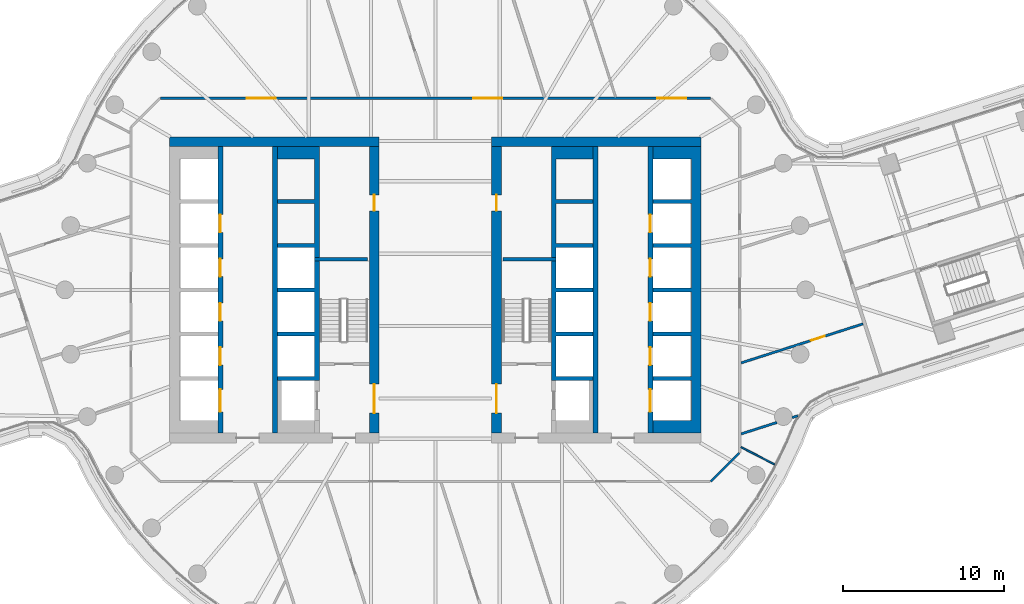
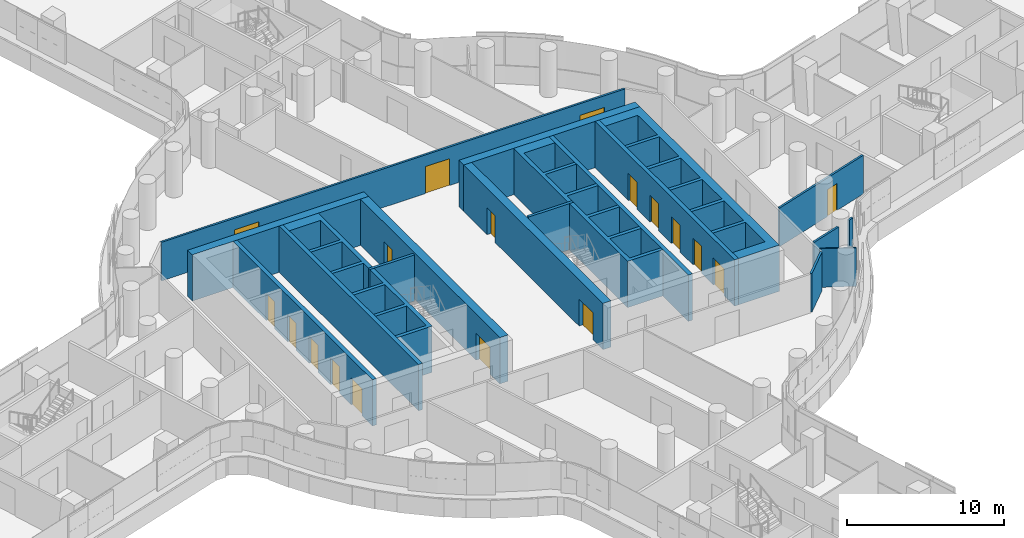
# One storey, part 20 of 30: 19 walls, 18 doors, 18 openings.
"""IFC4 building model written with IfcOpenShell, lengths in metres."""

from ifc_helpers import new_model, si_unit, direction, frame, frame_2d, origin, place, context, subcontext, project, spatial, polyline, rectangle, outline, extrude, material, layer, layer_set, type_object, element, fill, save


model = new_model("IFC4")

# Units and contexts
model_context = context("Model", 3, precision=1e-05, world=origin(), true_north=direction((0.0, 1.0)))
body_context = subcontext(model_context, "Body", "Model", "MODEL_VIEW")
ifc_project = project(units=[si_unit("LENGTHUNIT", "METRE"), si_unit("AREAUNIT", "SQUARE_METRE"), si_unit("VOLUMEUNIT", "CUBIC_METRE"), si_unit("PLANEANGLEUNIT", "RADIAN"), si_unit("MASSUNIT", "GRAM", prefix="KILO")], contexts=[model_context])

# Site, building, storey
site_placement = place(None, origin())
site = spatial("IfcSite", under=ifc_project, at=site_placement, CompositionType="ELEMENT")
building_placement = place(site_placement, origin())
building = spatial("IfcBuilding", under=site, at=building_placement, Name="Tamarind Cross Interchange Tower", CompositionType="ELEMENT")
storey_placement = place(building_placement, frame((0.0, 0.0, 98.5)))
storey = spatial("IfcBuildingStorey", under=building, at=storey_placement, Name="L23", CompositionType="ELEMENT", Elevation=98.5)

# Wall
ifc_material_1 = material(Name="Concrete C70", Category="concrete")
ifc_layer_1 = layer(ifc_material_1, 0.60009765625)
ifc_layer_set_1 = layer_set([ifc_layer_1], Name="Concrete C70")
wall_type_1 = type_object("IfcWallType", Name="Core wall 600 mm Concrete C70", PredefinedType="SHEAR", material=ifc_layer_set_1)
wall_1_placement = place(storey_placement, frame((-16.5, 9.199951171875, 0.0), z_axis=(0.0, 0.0, 1.0), x_axis=(1.0, 0.0, 0.0)))
element("IfcWall", 1, at=wall_1_placement, inside=storey, type_object=wall_type_1, Name="Core wall CWL-L23-W-NE", PredefinedType="SHEAR", context=body_context, shape_type="SweptSolid", body=[
    extrude(rectangle(XDim=13.0, YDim=0.60009765625, at=frame_2d((6.5, 0.0))), origin(), (0.0, 0.0, 1.0), 3.610107421875),
])

# Wall, openings, doors
wall_2_placement = place(storey_placement, frame((-3.800048828125, -8.89990234375, 0.0), z_axis=(0.0, 0.0, 1.0), x_axis=(0.0, 1.0, 0.0)))
wall_2 = element("IfcWall", 2, at=wall_2_placement, inside=storey, type_object=wall_type_1, Name="Core wall CWL-L23-W-IN", PredefinedType="SHEAR", context=body_context, shape_type="SweptSolid", body=[
    extrude(rectangle(XDim=17.7998046875, YDim=0.60009765625, at=frame_2d((8.89990234375, 0.0))), origin(), (0.0, 0.0, 1.0), 3.610107421875),
])
opening_1_placement = place(wall_2_placement, frame((1.25, 0.0, 0.0)))
opening_1 = element("IfcOpeningElement", 3, at=opening_1_placement, cuts=wall_2, Name="Opening DCW4", PredefinedType="OPENING", context=body_context, shape_type="SweptSolid", body=[
    extrude(rectangle(XDim=1.800048828125, YDim=2.10009765625, at=frame_2d((0.89990234375, 1.050048828125))), frame((0.0, 0.31005859375, 0.0), z_axis=(0.0, -1.0, 0.0), x_axis=(1.0, 0.0, 0.0)), (0.0, 0.0, 1.0), 0.6201171875),
])
opening_2_placement = place(wall_2_placement, frame((13.800048828125, 0.0, 0.0)))
opening_2 = element("IfcOpeningElement", 4, at=opening_2_placement, cuts=wall_2, Name="Opening DCW5", PredefinedType="OPENING", context=body_context, shape_type="SweptSolid", body=[
    extrude(rectangle(XDim=1.0, YDim=2.10009765625, at=frame_2d((0.5, 1.050048828125))), frame((0.0, 0.31005859375, 0.0), z_axis=(0.0, -1.0, 0.0), x_axis=(1.0, 0.0, 0.0)), (0.0, 0.0, 1.0), 0.6201171875),
])
ifc_material_2 = material(Name="Steel, fire-resisting", Category="steel")
door_type_1 = type_object("IfcDoorType", Name="Core fire door 1000 x 2100 FD90", OperationType="SINGLE_SWING_LEFT", PredefinedType="DOOR", material=ifc_material_2)
door_1_placement = place(opening_2_placement, origin())
door_1 = element("IfcDoor", 5, at=door_1_placement, inside=storey, type_object=door_type_1, Name="L23 riser room door", OperationType="SINGLE_SWING_LEFT", OverallHeight=2.10009765625, OverallWidth=1.0, PredefinedType="DOOR", context=body_context, shape_type="SweptSolid", body=[
    extrude(rectangle(XDim=1.0, YDim=2.10009765625, at=frame_2d((0.5, 1.050048828125))), frame((0.0, 0.02490234375, 0.0), z_axis=(0.0, -1.0, 0.0), x_axis=(1.0, 0.0, 0.0)), (0.0, 0.0, 1.0), 0.050048828125),
])
fill(opening_2, door_1)
door_type_2 = type_object("IfcDoorType", Name="Core fire door 1800 x 2100 FD90", OperationType="SINGLE_SWING_LEFT", PredefinedType="DOOR", material=ifc_material_2)
door_2_placement = place(opening_1_placement, origin())
door_2 = element("IfcDoor", 6, at=door_2_placement, inside=storey, type_object=door_type_2, Name="L23 firefighting lobby door", OperationType="SINGLE_SWING_LEFT", OverallHeight=2.10009765625, OverallWidth=1.800048828125, PredefinedType="DOOR", context=body_context, shape_type="SweptSolid", body=[
    extrude(rectangle(XDim=1.800048828125, YDim=2.10009765625, at=frame_2d((0.89990234375, 1.050048828125))), frame((0.0, 0.02490234375, 0.0), z_axis=(0.0, -1.0, 0.0), x_axis=(1.0, 0.0, 0.0)), (0.0, 0.0, 1.0), 0.050048828125),
])
fill(opening_1, door_2)

# Walls
wall_3_placement = place(storey_placement, origin())
element("IfcWall", 7, at=wall_3_placement, inside=storey, type_object=wall_type_1, Name="Core wall CWL-L23-E-A", PredefinedType="SHEAR", context=body_context, shape_type="SweptSolid", body=[
    extrude(outline(polyline([(13.5, -8.89990234375), (15.89990234375, -8.89990234375), (16.5, -8.89990234375), (16.5, 8.89990234375), (15.89990234375, 8.89990234375), (13.5, 8.89990234375), (13.5, 8.125), (15.89990234375, 8.125), (15.89990234375, 5.625), (13.5, 5.625), (13.5, 5.375), (15.89990234375, 5.375), (15.89990234375, 2.875), (13.5, 2.875), (13.5, 2.625), (15.89990234375, 2.625), (15.89990234375, 0.125), (13.5, 0.125), (13.5, -0.125), (15.89990234375, -0.125), (15.89990234375, -2.625), (13.5, -2.625), (13.5, -2.875), (15.89990234375, -2.875), (15.89990234375, -5.375), (13.5, -5.375), (13.5, -5.625), (15.89990234375, -5.625), (15.89990234375, -8.125), (13.5, -8.125), (13.5, -8.89990234375)])), origin(), (0.0, 0.0, 1.0), 3.610107421875),
])
wall_4_placement = place(storey_placement, frame((16.5, 9.199951171875, 0.0), z_axis=(0.0, 0.0, 1.0), x_axis=(-1.0, 0.0, 0.0)))
element("IfcWall", 8, at=wall_4_placement, inside=storey, type_object=wall_type_1, Name="Core wall CWL-L23-E-NE", PredefinedType="SHEAR", context=body_context, shape_type="SweptSolid", body=[
    extrude(rectangle(XDim=13.0, YDim=0.60009765625, at=frame_2d((6.5, 0.0))), origin(), (0.0, 0.0, 1.0), 3.610107421875),
])

# Wall, openings, doors
wall_5_placement = place(storey_placement, frame((3.800048828125, -8.89990234375, 0.0), z_axis=(0.0, 0.0, 1.0), x_axis=(0.0, 1.0, 0.0)))
wall_5 = element("IfcWall", 9, at=wall_5_placement, inside=storey, type_object=wall_type_1, Name="Core wall CWL-L23-E-IN", PredefinedType="SHEAR", context=body_context, shape_type="SweptSolid", body=[
    extrude(rectangle(XDim=17.7998046875, YDim=0.60009765625, at=frame_2d((8.89990234375, 0.0))), origin(), (0.0, 0.0, 1.0), 3.610107421875),
])
opening_3_placement = place(wall_5_placement, frame((1.25, 0.0, 0.0)))
opening_3 = element("IfcOpeningElement", 10, at=opening_3_placement, cuts=wall_5, Name="Opening DCE4", PredefinedType="OPENING", context=body_context, shape_type="SweptSolid", body=[
    extrude(rectangle(XDim=1.800048828125, YDim=2.10009765625, at=frame_2d((0.89990234375, 1.050048828125))), frame((0.0, 0.31005859375, 0.0), z_axis=(0.0, -1.0, 0.0), x_axis=(1.0, 0.0, 0.0)), (0.0, 0.0, 1.0), 0.6201171875),
])
opening_4_placement = place(wall_5_placement, frame((13.800048828125, 0.0, 0.0)))
opening_4 = element("IfcOpeningElement", 11, at=opening_4_placement, cuts=wall_5, Name="Opening DCE5", PredefinedType="OPENING", context=body_context, shape_type="SweptSolid", body=[
    extrude(rectangle(XDim=1.0, YDim=2.10009765625, at=frame_2d((0.5, 1.050048828125))), frame((0.0, 0.31005859375, 0.0), z_axis=(0.0, -1.0, 0.0), x_axis=(1.0, 0.0, 0.0)), (0.0, 0.0, 1.0), 0.6201171875),
])
door_3_placement = place(opening_4_placement, origin())
door_3 = element("IfcDoor", 12, at=door_3_placement, inside=storey, type_object=door_type_1, Name="L23 riser room door", OperationType="SINGLE_SWING_LEFT", OverallHeight=2.10009765625, OverallWidth=1.0, PredefinedType="DOOR", context=body_context, shape_type="SweptSolid", body=[
    extrude(rectangle(XDim=1.0, YDim=2.10009765625, at=frame_2d((0.5, 1.050048828125))), frame((0.0, 0.02490234375, 0.0), z_axis=(0.0, -1.0, 0.0), x_axis=(1.0, 0.0, 0.0)), (0.0, 0.0, 1.0), 0.050048828125),
])
fill(opening_4, door_3)
door_4_placement = place(opening_3_placement, origin())
door_4 = element("IfcDoor", 13, at=door_4_placement, inside=storey, type_object=door_type_2, Name="L23 firefighting lobby door", OperationType="SINGLE_SWING_LEFT", OverallHeight=2.10009765625, OverallWidth=1.800048828125, PredefinedType="DOOR", context=body_context, shape_type="SweptSolid", body=[
    extrude(rectangle(XDim=1.800048828125, YDim=2.10009765625, at=frame_2d((0.89990234375, 1.050048828125))), frame((0.0, 0.02490234375, 0.0), z_axis=(0.0, -1.0, 0.0), x_axis=(1.0, 0.0, 0.0)), (0.0, 0.0, 1.0), 0.050048828125),
])
fill(opening_3, door_4)

# Walls
ifc_layer_2 = layer(ifc_material_1, 0.199951171875)
ifc_layer_set_2 = layer_set([ifc_layer_2], Name="Concrete C70")
wall_type_2 = type_object("IfcWallType", Name="Core web wall 200 mm Concrete C70", PredefinedType="SHEAR", material=ifc_layer_set_2)
for number, where, z_axis, x_axis, name in (
    (14, (-7.5, 1.89990234375, 0.0), (0.0, 0.0, 1.0), (1.0, 0.0, 0.0), "Core wall CWL-L23-W-BD"),
    (15, (7.5, 1.89990234375, 0.0), (0.0, 0.0, 1.0), (-1.0, 0.0, 0.0), "Core wall CWL-L23-E-BD"),
):
    element("IfcWall", number, at=place(storey_placement, frame(where, z_axis=z_axis, x_axis=x_axis)), inside=storey, type_object=wall_type_2, Name=name, PredefinedType="SHEAR", context=body_context, shape_type="SweptSolid", body=[
        extrude(rectangle(XDim=3.300048828125, YDim=0.199951171875, at=frame_2d((1.64990234375, 0.0))), origin(), (0.0, 0.0, 1.0), 3.610107421875),
    ])
ifc_layer_3 = layer(ifc_material_1, 0.300048828125)
ifc_layer_set_3 = layer_set([ifc_layer_3], Name="Concrete C70")
wall_type_3 = type_object("IfcWallType", Name="Core web wall 300 mm Concrete C70", PredefinedType="SHEAR", material=ifc_layer_set_3)
wall_6_placement = place(storey_placement, origin())
element("IfcWall", 16, at=wall_6_placement, inside=storey, type_object=wall_type_3, Name="Core wall CWL-L23-W-BN", PredefinedType="SHEAR", context=body_context, shape_type="SweptSolid", body=[
    extrude(outline(polyline([(-9.800048828125, -5.375), (-9.800048828125, -5.625), (-7.5, -5.625), (-7.199951171875, -5.625), (-7.199951171875, 8.89990234375), (-7.5, 8.89990234375), (-9.800048828125, 8.89990234375), (-9.800048828125, 8.125), (-7.5, 8.125), (-7.5, 5.625), (-9.800048828125, 5.625), (-9.800048828125, 5.375), (-7.5, 5.375), (-7.5, 2.875), (-9.800048828125, 2.875), (-9.800048828125, 2.625), (-7.5, 2.625), (-7.5, 0.125), (-9.800048828125, 0.125), (-9.800048828125, -0.125), (-7.5, -0.125), (-7.5, -2.625), (-9.800048828125, -2.625), (-9.800048828125, -2.875), (-7.5, -2.875), (-7.5, -5.375), (-9.800048828125, -5.375)])), origin(), (0.0, 0.0, 1.0), 3.610107421875),
])

# Wall, openings, doors
wall_7_placement = place(storey_placement, frame((-13.35009765625, -8.89990234375, 0.0), z_axis=(0.0, 0.0, 1.0), x_axis=(0.0, 1.0, 0.0)))
wall_7 = element("IfcWall", 17, at=wall_7_placement, inside=storey, type_object=wall_type_3, Name="Core wall CWL-L23-W-LA", PredefinedType="SHEAR", context=body_context, shape_type="SweptSolid", body=[
    extrude(rectangle(XDim=17.7998046875, YDim=0.300048828125, at=frame_2d((8.89990234375, 0.0))), origin(), (0.0, 0.0, 1.0), 3.610107421875),
])
opening_5_placement = place(wall_7_placement, frame((1.324951171875, 0.0, 0.0)))
opening_5 = element("IfcOpeningElement", 18, at=opening_5_placement, cuts=wall_7, Name="Opening LD1L23", PredefinedType="OPENING", context=body_context, shape_type="SweptSolid", body=[
    extrude(rectangle(XDim=1.39990234375, YDim=2.10009765625, at=frame_2d((0.699951171875, 1.050048828125))), frame((0.0, 0.159912109375, 0.0), z_axis=(0.0, -1.0, 0.0), x_axis=(1.0, 0.0, 0.0)), (0.0, 0.0, 1.0), 0.320068359375),
])
opening_6_placement = place(wall_7_placement, frame((4.22509765625, 0.0, 0.0)))
opening_6 = element("IfcOpeningElement", 19, at=opening_6_placement, cuts=wall_7, Name="Opening LD2L23", PredefinedType="OPENING", context=body_context, shape_type="SweptSolid", body=[
    extrude(rectangle(XDim=1.10009765625, YDim=2.10009765625, at=frame_2d((0.550048828125, 1.050048828125))), frame((0.0, 0.159912109375, 0.0), z_axis=(0.0, -1.0, 0.0), x_axis=(1.0, 0.0, 0.0)), (0.0, 0.0, 1.0), 0.320068359375),
])
opening_7_placement = place(wall_7_placement, frame((6.97509765625, 0.0, 0.0)))
opening_7 = element("IfcOpeningElement", 20, at=opening_7_placement, cuts=wall_7, Name="Opening LD3L23", PredefinedType="OPENING", context=body_context, shape_type="SweptSolid", body=[
    extrude(rectangle(XDim=1.10009765625, YDim=2.10009765625, at=frame_2d((0.550048828125, 1.050048828125))), frame((0.0, 0.159912109375, 0.0), z_axis=(0.0, -1.0, 0.0), x_axis=(1.0, 0.0, 0.0)), (0.0, 0.0, 1.0), 0.320068359375),
])
opening_8_placement = place(wall_7_placement, frame((9.72509765625, 0.0, 0.0)))
opening_8 = element("IfcOpeningElement", 21, at=opening_8_placement, cuts=wall_7, Name="Opening LD4L23", PredefinedType="OPENING", context=body_context, shape_type="SweptSolid", body=[
    extrude(rectangle(XDim=1.10009765625, YDim=2.10009765625, at=frame_2d((0.550048828125, 1.050048828125))), frame((0.0, 0.159912109375, 0.0), z_axis=(0.0, -1.0, 0.0), x_axis=(1.0, 0.0, 0.0)), (0.0, 0.0, 1.0), 0.320068359375),
])
opening_9_placement = place(wall_7_placement, frame((12.47509765625, 0.0, 0.0)))
opening_9 = element("IfcOpeningElement", 22, at=opening_9_placement, cuts=wall_7, Name="Opening LD5L23", PredefinedType="OPENING", context=body_context, shape_type="SweptSolid", body=[
    extrude(rectangle(XDim=1.10009765625, YDim=2.10009765625, at=frame_2d((0.550048828125, 1.050048828125))), frame((0.0, 0.159912109375, 0.0), z_axis=(0.0, -1.0, 0.0), x_axis=(1.0, 0.0, 0.0)), (0.0, 0.0, 1.0), 0.320068359375),
])
ifc_material_3 = material(Name="Stainless steel panel", Category="steel")
door_type_3 = type_object("IfcDoorType", Name="Lift landing door 1100 x 2100 E 120", OperationType="SLIDING_TO_LEFT", PredefinedType="DOOR", material=ifc_material_3)
door_5_placement = place(opening_6_placement, origin())
door_5 = element("IfcDoor", 23, at=door_5_placement, inside=storey, type_object=door_type_3, Name="L23 landing door LF2", OperationType="SLIDING_TO_LEFT", OverallHeight=2.10009765625, OverallWidth=1.10009765625, PredefinedType="DOOR", context=body_context, shape_type="SweptSolid", body=[
    extrude(rectangle(XDim=1.10009765625, YDim=2.10009765625, at=frame_2d((0.550048828125, 1.050048828125))), frame((0.0, 0.02490234375, 0.0), z_axis=(0.0, -1.0, 0.0), x_axis=(1.0, 0.0, 0.0)), (0.0, 0.0, 1.0), 0.050048828125),
])
fill(opening_6, door_5)
door_6_placement = place(opening_7_placement, origin())
door_6 = element("IfcDoor", 24, at=door_6_placement, inside=storey, type_object=door_type_3, Name="L23 landing door LF3", OperationType="SLIDING_TO_LEFT", OverallHeight=2.10009765625, OverallWidth=1.10009765625, PredefinedType="DOOR", context=body_context, shape_type="SweptSolid", body=[
    extrude(rectangle(XDim=1.10009765625, YDim=2.10009765625, at=frame_2d((0.550048828125, 1.050048828125))), frame((0.0, 0.02490234375, 0.0), z_axis=(0.0, -1.0, 0.0), x_axis=(1.0, 0.0, 0.0)), (0.0, 0.0, 1.0), 0.050048828125),
])
fill(opening_7, door_6)
door_7_placement = place(opening_8_placement, origin())
door_7 = element("IfcDoor", 25, at=door_7_placement, inside=storey, type_object=door_type_3, Name="L23 landing door LF4", OperationType="SLIDING_TO_LEFT", OverallHeight=2.10009765625, OverallWidth=1.10009765625, PredefinedType="DOOR", context=body_context, shape_type="SweptSolid", body=[
    extrude(rectangle(XDim=1.10009765625, YDim=2.10009765625, at=frame_2d((0.550048828125, 1.050048828125))), frame((0.0, 0.02490234375, 0.0), z_axis=(0.0, -1.0, 0.0), x_axis=(1.0, 0.0, 0.0)), (0.0, 0.0, 1.0), 0.050048828125),
])
fill(opening_8, door_7)
door_8_placement = place(opening_9_placement, origin())
door_8 = element("IfcDoor", 26, at=door_8_placement, inside=storey, type_object=door_type_3, Name="L23 landing door LF5", OperationType="SLIDING_TO_LEFT", OverallHeight=2.10009765625, OverallWidth=1.10009765625, PredefinedType="DOOR", context=body_context, shape_type="SweptSolid", body=[
    extrude(rectangle(XDim=1.10009765625, YDim=2.10009765625, at=frame_2d((0.550048828125, 1.050048828125))), frame((0.0, 0.02490234375, 0.0), z_axis=(0.0, -1.0, 0.0), x_axis=(1.0, 0.0, 0.0)), (0.0, 0.0, 1.0), 0.050048828125),
])
fill(opening_9, door_8)
door_type_4 = type_object("IfcDoorType", Name="Lift landing door 1400 x 2100 E 120", OperationType="SLIDING_TO_LEFT", PredefinedType="DOOR", material=ifc_material_3)
door_9_placement = place(opening_5_placement, origin())
door_9 = element("IfcDoor", 27, at=door_9_placement, inside=storey, type_object=door_type_4, Name="L23 landing door LF1", OperationType="SLIDING_TO_LEFT", OverallHeight=2.10009765625, OverallWidth=1.39990234375, PredefinedType="DOOR", context=body_context, shape_type="SweptSolid", body=[
    extrude(rectangle(XDim=1.39990234375, YDim=2.10009765625, at=frame_2d((0.699951171875, 1.050048828125))), frame((0.0, 0.02490234375, 0.0), z_axis=(0.0, -1.0, 0.0), x_axis=(1.0, 0.0, 0.0)), (0.0, 0.0, 1.0), 0.050048828125),
])
fill(opening_5, door_9)

# Walls
wall_8_placement = place(storey_placement, frame((-9.949951171875, -8.89990234375, 0.0), z_axis=(0.0, 0.0, 1.0), x_axis=(0.0, 1.0, 0.0)))
element("IfcWall", 28, at=wall_8_placement, inside=storey, type_object=wall_type_3, Name="Core wall CWL-L23-W-LB", PredefinedType="SHEAR", context=body_context, shape_type="SweptSolid", body=[
    extrude(rectangle(XDim=17.7998046875, YDim=0.300048828125, at=frame_2d((8.89990234375, 0.0))), origin(), (0.0, 0.0, 1.0), 3.610107421875),
])
wall_9_placement = place(storey_placement, origin())
element("IfcWall", 29, at=wall_9_placement, inside=storey, type_object=wall_type_3, Name="Core wall CWL-L23-E-BN", PredefinedType="SHEAR", context=body_context, shape_type="SweptSolid", body=[
    extrude(outline(polyline([(9.800048828125, -5.375), (7.5, -5.375), (7.5, -2.875), (9.800048828125, -2.875), (9.800048828125, -2.625), (7.5, -2.625), (7.5, -0.125), (9.800048828125, -0.125), (9.800048828125, 0.125), (7.5, 0.125), (7.5, 2.625), (9.800048828125, 2.625), (9.800048828125, 2.875), (7.5, 2.875), (7.5, 5.375), (9.800048828125, 5.375), (9.800048828125, 5.625), (7.5, 5.625), (7.5, 8.125), (9.800048828125, 8.125), (9.800048828125, 8.89990234375), (7.5, 8.89990234375), (7.199951171875, 8.89990234375), (7.199951171875, -5.625), (7.5, -5.625), (9.800048828125, -5.625), (9.800048828125, -5.375)])), origin(), (0.0, 0.0, 1.0), 3.610107421875),
])

# Wall, openings, doors
wall_10_placement = place(storey_placement, frame((13.35009765625, -8.89990234375, 0.0), z_axis=(0.0, 0.0, 1.0), x_axis=(0.0, 1.0, 0.0)))
wall_10 = element("IfcWall", 30, at=wall_10_placement, inside=storey, type_object=wall_type_3, Name="Core wall CWL-L23-E-LA", PredefinedType="SHEAR", context=body_context, shape_type="SweptSolid", body=[
    extrude(rectangle(XDim=17.7998046875, YDim=0.300048828125, at=frame_2d((8.89990234375, 0.0))), origin(), (0.0, 0.0, 1.0), 3.610107421875),
])
opening_10_placement = place(wall_10_placement, frame((1.324951171875, 0.0, 0.0)))
opening_10 = element("IfcOpeningElement", 31, at=opening_10_placement, cuts=wall_10, Name="Opening LD13L23", PredefinedType="OPENING", context=body_context, shape_type="SweptSolid", body=[
    extrude(rectangle(XDim=1.39990234375, YDim=2.10009765625, at=frame_2d((0.699951171875, 1.050048828125))), frame((0.0, 0.159912109375, 0.0), z_axis=(0.0, -1.0, 0.0), x_axis=(1.0, 0.0, 0.0)), (0.0, 0.0, 1.0), 0.320068359375),
])
opening_11_placement = place(wall_10_placement, frame((4.22509765625, 0.0, 0.0)))
opening_11 = element("IfcOpeningElement", 32, at=opening_11_placement, cuts=wall_10, Name="Opening LD14L23", PredefinedType="OPENING", context=body_context, shape_type="SweptSolid", body=[
    extrude(rectangle(XDim=1.10009765625, YDim=2.10009765625, at=frame_2d((0.550048828125, 1.050048828125))), frame((0.0, 0.159912109375, 0.0), z_axis=(0.0, -1.0, 0.0), x_axis=(1.0, 0.0, 0.0)), (0.0, 0.0, 1.0), 0.320068359375),
])
opening_12_placement = place(wall_10_placement, frame((6.97509765625, 0.0, 0.0)))
opening_12 = element("IfcOpeningElement", 33, at=opening_12_placement, cuts=wall_10, Name="Opening LD15L23", PredefinedType="OPENING", context=body_context, shape_type="SweptSolid", body=[
    extrude(rectangle(XDim=1.10009765625, YDim=2.10009765625, at=frame_2d((0.550048828125, 1.050048828125))), frame((0.0, 0.159912109375, 0.0), z_axis=(0.0, -1.0, 0.0), x_axis=(1.0, 0.0, 0.0)), (0.0, 0.0, 1.0), 0.320068359375),
])
opening_13_placement = place(wall_10_placement, frame((9.72509765625, 0.0, 0.0)))
opening_13 = element("IfcOpeningElement", 34, at=opening_13_placement, cuts=wall_10, Name="Opening LD16L23", PredefinedType="OPENING", context=body_context, shape_type="SweptSolid", body=[
    extrude(rectangle(XDim=1.10009765625, YDim=2.10009765625, at=frame_2d((0.550048828125, 1.050048828125))), frame((0.0, 0.159912109375, 0.0), z_axis=(0.0, -1.0, 0.0), x_axis=(1.0, 0.0, 0.0)), (0.0, 0.0, 1.0), 0.320068359375),
])
opening_14_placement = place(wall_10_placement, frame((12.47509765625, 0.0, 0.0)))
opening_14 = element("IfcOpeningElement", 35, at=opening_14_placement, cuts=wall_10, Name="Opening LD17L23", PredefinedType="OPENING", context=body_context, shape_type="SweptSolid", body=[
    extrude(rectangle(XDim=1.10009765625, YDim=2.10009765625, at=frame_2d((0.550048828125, 1.050048828125))), frame((0.0, 0.159912109375, 0.0), z_axis=(0.0, -1.0, 0.0), x_axis=(1.0, 0.0, 0.0)), (0.0, 0.0, 1.0), 0.320068359375),
])
door_10_placement = place(opening_11_placement, origin())
door_10 = element("IfcDoor", 36, at=door_10_placement, inside=storey, type_object=door_type_3, Name="L23 landing door LF14", OperationType="SLIDING_TO_LEFT", OverallHeight=2.10009765625, OverallWidth=1.10009765625, PredefinedType="DOOR", context=body_context, shape_type="SweptSolid", body=[
    extrude(rectangle(XDim=1.10009765625, YDim=2.10009765625, at=frame_2d((0.550048828125, 1.050048828125))), frame((0.0, 0.02490234375, 0.0), z_axis=(0.0, -1.0, 0.0), x_axis=(1.0, 0.0, 0.0)), (0.0, 0.0, 1.0), 0.050048828125),
])
fill(opening_11, door_10)
door_11_placement = place(opening_12_placement, origin())
door_11 = element("IfcDoor", 37, at=door_11_placement, inside=storey, type_object=door_type_3, Name="L23 landing door LF15", OperationType="SLIDING_TO_LEFT", OverallHeight=2.10009765625, OverallWidth=1.10009765625, PredefinedType="DOOR", context=body_context, shape_type="SweptSolid", body=[
    extrude(rectangle(XDim=1.10009765625, YDim=2.10009765625, at=frame_2d((0.550048828125, 1.050048828125))), frame((0.0, 0.02490234375, 0.0), z_axis=(0.0, -1.0, 0.0), x_axis=(1.0, 0.0, 0.0)), (0.0, 0.0, 1.0), 0.050048828125),
])
fill(opening_12, door_11)
door_12_placement = place(opening_13_placement, origin())
door_12 = element("IfcDoor", 38, at=door_12_placement, inside=storey, type_object=door_type_3, Name="L23 landing door LF16", OperationType="SLIDING_TO_LEFT", OverallHeight=2.10009765625, OverallWidth=1.10009765625, PredefinedType="DOOR", context=body_context, shape_type="SweptSolid", body=[
    extrude(rectangle(XDim=1.10009765625, YDim=2.10009765625, at=frame_2d((0.550048828125, 1.050048828125))), frame((0.0, 0.02490234375, 0.0), z_axis=(0.0, -1.0, 0.0), x_axis=(1.0, 0.0, 0.0)), (0.0, 0.0, 1.0), 0.050048828125),
])
fill(opening_13, door_12)
door_13_placement = place(opening_14_placement, origin())
door_13 = element("IfcDoor", 39, at=door_13_placement, inside=storey, type_object=door_type_3, Name="L23 landing door LF17", OperationType="SLIDING_TO_LEFT", OverallHeight=2.10009765625, OverallWidth=1.10009765625, PredefinedType="DOOR", context=body_context, shape_type="SweptSolid", body=[
    extrude(rectangle(XDim=1.10009765625, YDim=2.10009765625, at=frame_2d((0.550048828125, 1.050048828125))), frame((0.0, 0.02490234375, 0.0), z_axis=(0.0, -1.0, 0.0), x_axis=(1.0, 0.0, 0.0)), (0.0, 0.0, 1.0), 0.050048828125),
])
fill(opening_14, door_13)
door_14_placement = place(opening_10_placement, origin())
door_14 = element("IfcDoor", 40, at=door_14_placement, inside=storey, type_object=door_type_4, Name="L23 landing door LF13", OperationType="SLIDING_TO_LEFT", OverallHeight=2.10009765625, OverallWidth=1.39990234375, PredefinedType="DOOR", context=body_context, shape_type="SweptSolid", body=[
    extrude(rectangle(XDim=1.39990234375, YDim=2.10009765625, at=frame_2d((0.699951171875, 1.050048828125))), frame((0.0, 0.02490234375, 0.0), z_axis=(0.0, -1.0, 0.0), x_axis=(1.0, 0.0, 0.0)), (0.0, 0.0, 1.0), 0.050048828125),
])
fill(opening_10, door_14)

# Walls
wall_11_placement = place(storey_placement, frame((9.949951171875, -8.89990234375, 0.0), z_axis=(0.0, 0.0, 1.0), x_axis=(0.0, 1.0, 0.0)))
element("IfcWall", 41, at=wall_11_placement, inside=storey, type_object=wall_type_3, Name="Core wall CWL-L23-E-LB", PredefinedType="SHEAR", context=body_context, shape_type="SweptSolid", body=[
    extrude(rectangle(XDim=17.7998046875, YDim=0.300048828125, at=frame_2d((8.89990234375, 0.0))), origin(), (0.0, 0.0, 1.0), 3.610107421875),
])
ifc_material_4 = material(Name="Gypsum board partition on steel studs", Category="steel")
ifc_layer_4 = layer(ifc_material_4, 0.10009765625)
ifc_layer_set_4 = layer_set([ifc_layer_4], Name="Gypsum board partition on steel studs")
wall_type_4 = type_object("IfcWallType", Name="Partition 100 mm EI 90", PredefinedType="PARTITIONING", material=ifc_layer_set_4)
wall_12_placement = place(storey_placement, frame((18.97802734375, -9.76318359375, 0.0), z_axis=(0.0, 0.0, 1.0), x_axis=(0.889170151295, -0.457576706188, 0.0)))
element("IfcWall", 42, at=wall_12_placement, inside=storey, type_object=wall_type_4, Name="Partition L23-040", PredefinedType="PARTITIONING", context=body_context, shape_type="SweptSolid", body=[
    extrude(rectangle(XDim=2.339599609375, YDim=0.10009765625, at=frame_2d((1.169921875, 0.0))), origin(), (0.0, 0.0, 1.0), 3.010009765625),
])

# Wall, openings, doors
ifc_layer_5 = layer(ifc_material_4, 0.14990234375)
ifc_layer_set_5 = layer_set([ifc_layer_5], Name="Gypsum board partition on steel studs")
wall_type_5 = type_object("IfcWallType", Name="Partition 150 mm EI 120", PredefinedType="PARTITIONING", material=ifc_layer_set_5)
wall_13_placement = place(storey_placement, frame((-17.06494140625, 11.89990234375, 0.0), z_axis=(0.0, 0.0, 1.0), x_axis=(1.0, 0.0, 0.0)))
wall_13 = element("IfcWall", 43, at=wall_13_placement, inside=storey, type_object=wall_type_5, Name="Partition L23-042", PredefinedType="PARTITIONING", context=body_context, shape_type="SweptSolid", body=[
    extrude(rectangle(XDim=34.1650390625, YDim=0.14990234375, at=frame_2d((17.08251953125, 0.0))), origin(), (0.0, 0.0, 1.0), 3.010009765625),
])
opening_15_placement = place(wall_13_placement, frame((19.429931640625, 0.0, 0.0)))
opening_15 = element("IfcOpeningElement", 44, at=opening_15_placement, cuts=wall_13, Name="Opening D22", PredefinedType="OPENING", context=body_context, shape_type="SweptSolid", body=[
    extrude(rectangle(XDim=1.800048828125, YDim=2.10009765625, at=frame_2d((0.89990234375, 1.050048828125))), frame((0.0, 0.0849609375, 0.0), z_axis=(0.0, -1.0, 0.0), x_axis=(1.0, 0.0, 0.0)), (0.0, 0.0, 1.0), 0.169921875),
])
opening_16_placement = place(wall_13_placement, frame((30.8310546875, 0.0, 0.0)))
opening_16 = element("IfcOpeningElement", 45, at=opening_16_placement, cuts=wall_13, Name="Opening D23", PredefinedType="OPENING", context=body_context, shape_type="SweptSolid", body=[
    extrude(rectangle(XDim=1.800048828125, YDim=2.10009765625, at=frame_2d((0.89990234375, 1.050048828125))), frame((0.0, 0.0849609375, 0.0), z_axis=(0.0, -1.0, 0.0), x_axis=(1.0, 0.0, 0.0)), (0.0, 0.0, 1.0), 0.169921875),
])
opening_17_placement = place(wall_13_placement, frame((5.364990234375, 0.0, 0.0)))
opening_17 = element("IfcOpeningElement", 46, at=opening_17_placement, cuts=wall_13, Name="Opening D24", PredefinedType="OPENING", context=body_context, shape_type="SweptSolid", body=[
    extrude(rectangle(XDim=1.800048828125, YDim=2.10009765625, at=frame_2d((0.89990234375, 1.050048828125))), frame((0.0, 0.0849609375, 0.0), z_axis=(0.0, -1.0, 0.0), x_axis=(1.0, 0.0, 0.0)), (0.0, 0.0, 1.0), 0.169921875),
])
ifc_material_5 = material(Name="Fire-resisting door set")
door_type_5 = type_object("IfcDoorType", Name="Interior door 1800 x 2100 FD60S", OperationType="DOUBLE_DOOR_SINGLE_SWING", PredefinedType="DOOR", material=ifc_material_5)
door_15_placement = place(opening_15_placement, frame((1.800048828125, 0.0, 0.0), z_axis=(0.0, 0.0, 1.0), x_axis=(-1.0, 0.0, 0.0)))
door_15 = element("IfcDoor", 47, at=door_15_placement, inside=storey, type_object=door_type_5, Name="Door D22", OperationType="DOUBLE_DOOR_SINGLE_SWING", OverallHeight=2.10009765625, OverallWidth=1.800048828125, PredefinedType="DOOR", context=body_context, shape_type="SweptSolid", body=[
    extrude(rectangle(XDim=1.800048828125, YDim=2.10009765625, at=frame_2d((0.89990234375, 1.050048828125))), frame((0.0, 0.02490234375, 0.0), z_axis=(0.0, -1.0, 0.0), x_axis=(1.0, 0.0, 0.0)), (0.0, 0.0, 1.0), 0.050048828125),
])
fill(opening_15, door_15)
door_16_placement = place(opening_16_placement, origin())
door_16 = element("IfcDoor", 48, at=door_16_placement, inside=storey, type_object=door_type_5, Name="Door D23", OperationType="DOUBLE_DOOR_SINGLE_SWING", OverallHeight=2.10009765625, OverallWidth=1.800048828125, PredefinedType="DOOR", context=body_context, shape_type="SweptSolid", body=[
    extrude(rectangle(XDim=1.800048828125, YDim=2.10009765625, at=frame_2d((0.89990234375, 1.050048828125))), frame((0.0, 0.02490234375, 0.0), z_axis=(0.0, -1.0, 0.0), x_axis=(1.0, 0.0, 0.0)), (0.0, 0.0, 1.0), 0.050048828125),
])
fill(opening_16, door_16)
door_17_placement = place(opening_17_placement, origin())
door_17 = element("IfcDoor", 49, at=door_17_placement, inside=storey, type_object=door_type_5, Name="Door D24", OperationType="DOUBLE_DOOR_SINGLE_SWING", OverallHeight=2.10009765625, OverallWidth=1.800048828125, PredefinedType="DOOR", context=body_context, shape_type="SweptSolid", body=[
    extrude(rectangle(XDim=1.800048828125, YDim=2.10009765625, at=frame_2d((0.89990234375, 1.050048828125))), frame((0.0, 0.02490234375, 0.0), z_axis=(0.0, -1.0, 0.0), x_axis=(1.0, 0.0, 0.0)), (0.0, 0.0, 1.0), 0.050048828125),
])
fill(opening_17, door_17)

# Wall, opening, door
wall_14_placement = place(storey_placement, frame((18.98095703125, -4.537109375, 0.0), z_axis=(0.0, 0.0, 1.0), x_axis=(0.952353244945, 0.304997207926, 0.0)))
wall_14 = element("IfcWall", 50, at=wall_14_placement, inside=storey, type_object=wall_type_5, Name="Partition L23-068", PredefinedType="PARTITIONING", context=body_context, shape_type="SweptSolid", body=[
    extrude(rectangle(XDim=7.958984375, YDim=0.14990234375, at=frame_2d((3.9794921875, 0.0))), origin(), (0.0, 0.0, 1.0), 3.010009765625),
])
opening_18_placement = place(wall_14_placement, frame((4.56494140625, 0.0, 0.0)))
opening_18 = element("IfcOpeningElement", 51, at=opening_18_placement, cuts=wall_14, Name="Opening D34", PredefinedType="OPENING", context=body_context, shape_type="SweptSolid", body=[
    extrude(rectangle(XDim=0.89990234375, YDim=2.10009765625, at=frame_2d((0.449951171875, 1.050048828125))), frame((0.0, 0.0849609375, 0.0), z_axis=(0.0, -1.0, 0.0), x_axis=(1.0, 0.0, 0.0)), (0.0, 0.0, 1.0), 0.169921875),
])
door_type_6 = type_object("IfcDoorType", Name="Interior door 900 x 2100 FD60S", OperationType="SINGLE_SWING_LEFT", PredefinedType="DOOR", material=ifc_material_5)
door_18_placement = place(opening_18_placement, frame((0.89990234375, 0.0, 0.0), z_axis=(0.0, 0.0, 1.0), x_axis=(-1.0, 0.0, 0.0)))
door_18 = element("IfcDoor", 52, at=door_18_placement, inside=storey, type_object=door_type_6, Name="Door D34", OperationType="SINGLE_SWING_RIGHT", OverallHeight=2.10009765625, OverallWidth=0.89990234375, PredefinedType="DOOR", context=body_context, shape_type="SweptSolid", body=[
    extrude(rectangle(XDim=0.89990234375, YDim=2.10009765625, at=frame_2d((0.449951171875, 1.050048828125))), frame((0.0, 0.02490234375, 0.0), z_axis=(0.0, -1.0, 0.0), x_axis=(1.0, 0.0, 0.0)), (0.0, 0.0, 1.0), 0.050048828125),
])
fill(opening_18, door_18)

# Walls
wall_15_placement = place(storey_placement, frame((18.98095703125, -8.947021484375, 0.0), z_axis=(0.0, 0.0, 1.0), x_axis=(0.952375767512, 0.30492687231, 0.0)))
element("IfcWall", 53, at=wall_15_placement, inside=storey, type_object=wall_type_5, Name="Partition L23-073", PredefinedType="PARTITIONING", context=body_context, shape_type="SweptSolid", body=[
    extrude(rectangle(XDim=2.34423828125, YDim=0.14990234375, at=frame_2d((1.172119140625, 0.0))), origin(), (0.0, 0.0, 1.0), 3.010009765625),
])
wall_16_placement = place(storey_placement, frame((22.15576171875, -7.930419921875, 0.0), z_axis=(0.0, 0.0, 1.0), x_axis=(0.952462013357, 0.304657370026, 0.0)))
element("IfcWall", 54, at=wall_16_placement, inside=storey, type_object=wall_type_5, Name="Partition L23-074", PredefinedType="PARTITIONING", context=body_context, shape_type="SweptSolid", body=[
    extrude(rectangle(XDim=0.374267578125, YDim=0.14990234375, at=frame_2d((0.18701171875, 0.0))), origin(), (0.0, 0.0, 1.0), 3.010009765625),
])
wall_17_placement = place(storey_placement, frame((17.10009765625, -11.89990234375, 0.0), z_axis=(0.0, 0.0, 1.0), x_axis=(0.707106781187, 0.707106781187, 0.0)))
element("IfcWall", 55, at=wall_17_placement, inside=storey, type_object=wall_type_5, Name="Partition L23-079", PredefinedType="PARTITIONING", context=body_context, shape_type="SweptSolid", body=[
    extrude(rectangle(XDim=2.50537109375, YDim=0.14990234375, at=frame_2d((1.252685546875, 0.0))), origin(), (0.0, 0.0, 1.0), 3.010009765625),
])

save(model, "model.ifc")
